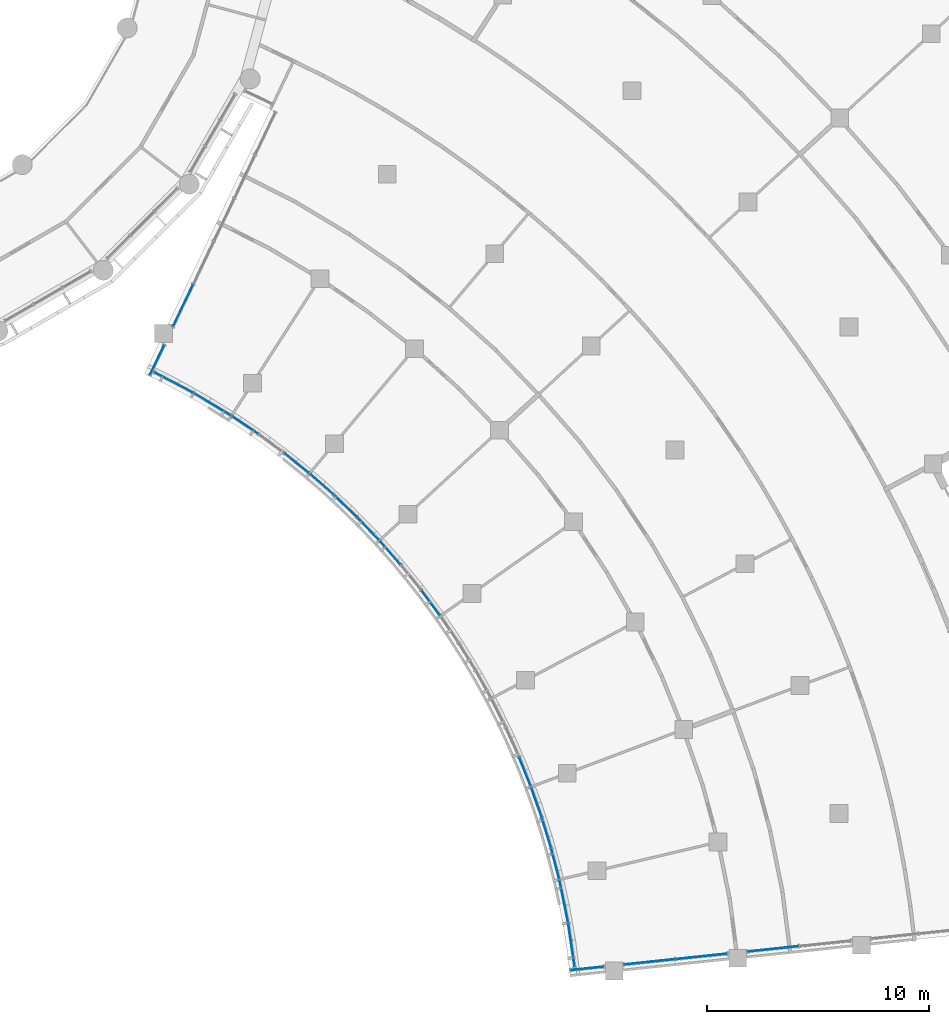
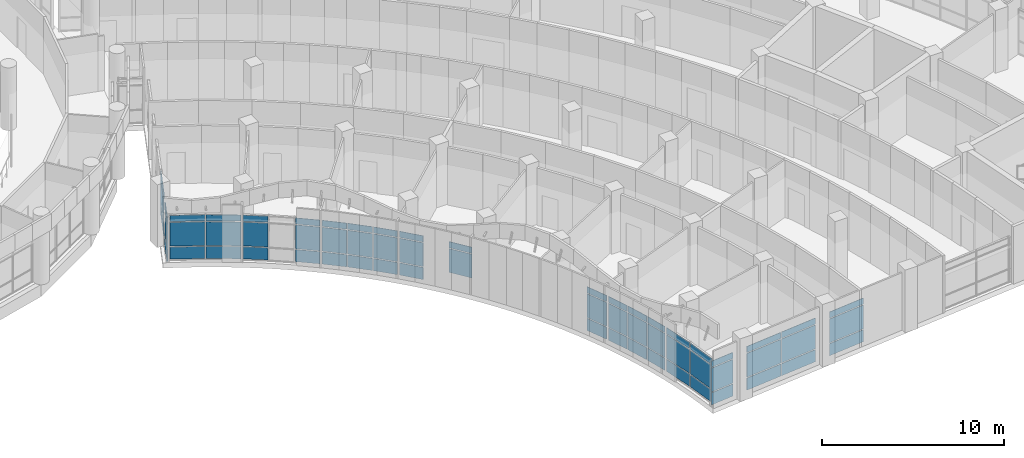
# One storey, part 33 of 109: 62 plates, 12 elements without a shape of their own.
"""IFC4 building model written with IfcOpenShell, lengths in metres."""

import ifcopenshell
import ifcopenshell.guid

model = None  # the IFC model being written
_history = None  # IfcOwnerHistory: only IFC2X3 demands one
_inside = {}  # id of a spatial element -> (the spatial element, [elements in it])
_under = {}  # id of a project, library or spatial element -> (it, [spatial elements below it])
_declared = {}  # id of a project -> (the project, [libraries it declares])
_typed = {}  # id of a type object -> (the type object, [elements of that type])
_made_of = {}  # id of a material, layer set ... -> (it, [elements and type objects made of it])


def new_model(schema):
    """Start an empty IFC model of exactly this schema.

    Asked for "IFC4X3", IfcOpenShell would pick the latest addendum, in which some entities
    have other attributes; the version numbers below select the first issue.
    IFC2X3 requires an IfcOwnerHistory on every rooted entity: one is made here for all.
    """
    global model, _history
    if schema == "IFC4X3":
        model = ifcopenshell.file(schema_version=(4, 3, 0, 0))
    else:
        model = ifcopenshell.file(schema=schema)
    _inside.clear()
    _under.clear()
    _declared.clear()
    _typed.clear()
    _made_of.clear()
    _history = None
    if model.schema == "IFC2X3":
        org = make("IfcOrganization", Name="unknown")
        user = make(
            "IfcPersonAndOrganization",
            ThePerson=make("IfcPerson", FamilyName="unknown"),
            TheOrganization=org,
        )
        app = make(
            "IfcApplication",
            ApplicationDeveloper=org,
            Version="unknown",
            ApplicationFullName="unknown",
            ApplicationIdentifier="unknown",
        )
        _history = make(
            "IfcOwnerHistory",
            OwningUser=user,
            OwningApplication=app,
            ChangeAction="ADDED",
            CreationDate=0,
        )
    return model


def make(cls, **values):
    """One entity of the class cls with the attributes given. An attribute that is None is left unset."""
    return model.create_entity(
        cls, **{name: value for name, value in values.items() if value is not None}
    )


def rooted(cls, **values):
    """An entity with a GlobalId (a new one), such as an element, a storey or a relation."""
    return make(cls, GlobalId=ifcopenshell.guid.new(), OwnerHistory=_history, **values)


def si_unit(unit_type, name, prefix=None):
    """IfcSIUnit, for example si_unit("LENGTHUNIT", "METRE", prefix="MILLI")."""
    return make("IfcSIUnit", UnitType=unit_type, Prefix=prefix, Name=name)


def assignment(units):
    """IfcUnitAssignment: the units of a project."""
    return None if units is None else make("IfcUnitAssignment", Units=units)


def point(xyz):
    """IfcCartesianPoint."""
    return None if xyz is None else make("IfcCartesianPoint", Coordinates=xyz)


def direction(xyz):
    """IfcDirection."""
    return None if xyz is None else make("IfcDirection", DirectionRatios=xyz)


def frame(location, z_axis=None, x_axis=None):
    """IfcAxis2Placement3D, a coordinate frame: its origin and axes. An axis left out is left unset."""
    return make(
        "IfcAxis2Placement3D",
        Location=point(location),
        Axis=direction(z_axis),
        RefDirection=direction(x_axis),
    )


def frame_2d(location, x_axis=None):
    """IfcAxis2Placement2D, a coordinate frame in the plane: its origin and x axis."""
    return make(
        "IfcAxis2Placement2D", Location=point(location), RefDirection=direction(x_axis)
    )


def origin():
    """The frame at (0, 0, 0) with its axes left unset."""
    return frame((0.0, 0.0, 0.0))


def origin_2d():
    """The frame at (0, 0) in the plane with its x axis left unset."""
    return frame_2d((0.0, 0.0))


def place(relative_to, where):
    """IfcLocalPlacement: puts the frame where relative to a parent placement (None: the world)."""
    return make(
        "IfcLocalPlacement", PlacementRelTo=relative_to, RelativePlacement=where
    )


def context(
    kind, dimensions, precision=None, world=None, true_north=None, identifier=None
):
    """IfcGeometricRepresentationContext, for example the 3D "Model" context."""
    return make(
        "IfcGeometricRepresentationContext",
        ContextIdentifier=identifier,
        ContextType=kind,
        CoordinateSpaceDimension=dimensions,
        Precision=precision,
        WorldCoordinateSystem=world,
        TrueNorth=true_north,
    )


def subcontext(parent, identifier, kind, view, scale=None):
    """IfcGeometricRepresentationSubContext, for example "Body" below "Model"."""
    return make(
        "IfcGeometricRepresentationSubContext",
        ContextIdentifier=identifier,
        ContextType=kind,
        ParentContext=parent,
        TargetScale=scale,
        TargetView=view,
    )


def project(units=None, contexts=None):
    """IfcProject with its units and contexts."""
    return rooted(
        "IfcProject",
        Name="project",
        RepresentationContexts=contexts,
        UnitsInContext=assignment(units),
    )


def spatial(cls, under=None, at=None, **own):
    """A site, building, storey or space (cls), placed at a placement, below another one or the project."""
    s = rooted(cls, ObjectPlacement=at, **own)
    if under is not None:
        _under.setdefault(under.id(), (under, []))[1].append(s)
    return s


def profile(cls, at=None, kind="AREA", **sizes):
    """A parametric profile (cls). Its sizes go by their IFC names, for example OverallWidth=200.0."""
    return make(cls, ProfileType=kind, Position=at, **sizes)


def rectangle(**sizes):
    """IfcRectangleProfileDef."""
    return profile("IfcRectangleProfileDef", **sizes)


def extrude(swept, where, along, depth):
    """IfcExtrudedAreaSolid: the profile swept, set in the frame where, extruded along a direction by depth."""
    return make(
        "IfcExtrudedAreaSolid",
        SweptArea=swept,
        Position=where,
        ExtrudedDirection=direction(along),
        Depth=depth,
    )


def shape(context_of_items, identifier, shape_type, items):
    """IfcShapeRepresentation: the items that make up one representation, for example the "Body"."""
    return make(
        "IfcShapeRepresentation",
        ContextOfItems=context_of_items,
        RepresentationIdentifier=identifier,
        RepresentationType=shape_type,
        Items=items,
    )


def material(Name=None, Category=None):
    """IfcMaterial."""
    return make("IfcMaterial", Name=Name, Category=Category)


def layer(
    of_material, thickness, ventilated=None, Name=None, Category=None, Priority=None
):
    """IfcMaterialLayer: one layer of a wall or slab, of a material (None: an air gap)."""
    return make(
        "IfcMaterialLayer",
        Material=of_material,
        LayerThickness=thickness,
        IsVentilated=ventilated,
        Name=Name,
        Category=Category,
        Priority=Priority,
    )


def layer_set(layers, Name=None):
    """IfcMaterialLayerSet."""
    return make("IfcMaterialLayerSet", MaterialLayers=layers, LayerSetName=Name)


def made_of(thing, what):
    """Note that an element or type object is made of a material, layer set ...; save() writes the relation."""
    if what is not None:
        _made_of.setdefault(what.id(), (what, []))[1].append(thing)
    return thing


def type_object(cls, material=None, **own):
    """A type object (cls), such as IfcWallType, which elements share."""
    return made_of(rooted(cls, **own), material)


def element(
    cls,
    number,
    at=None,
    inside=None,
    cuts=None,
    type_object=None,
    material=None,
    context=None,
    identifier="Body",
    shape_type=None,
    held_by="IfcProductDefinitionShape",
    body=None,
    shapes=None,
    **own,
):
    """One element of the class cls, such as IfcWall. Its Tag is "e" and its number.

    at: its placement. inside: the storey or other place that contains it. cuts: it is an
    opening in that element (IfcRelVoidsElement). A single representation is given by context,
    identifier, shape_type and body (its items); several are given by shapes. held_by: the class
    of the entity that holds the representations. save() writes the other relations.
    """
    e = rooted(cls, Tag="e%d" % number, ObjectPlacement=at, **own)
    if body is not None:
        shapes = [shape(context, identifier, shape_type, body)]
    if shapes is not None:
        e.Representation = make(held_by, Representations=shapes)
    if inside is not None:
        _inside.setdefault(inside.id(), (inside, []))[1].append(e)
    if cuts is not None:
        rooted(
            "IfcRelVoidsElement", RelatingBuildingElement=cuts, RelatedOpeningElement=e
        )
    if type_object is not None:
        _typed.setdefault(type_object.id(), (type_object, []))[1].append(e)
    return made_of(e, material)


def aggregate(whole, parts):
    """IfcRelAggregates: a whole, such as a stair, and the parts it consists of."""
    return rooted("IfcRelAggregates", RelatingObject=whole, RelatedObjects=parts)


def save(model, path):
    """Write the relations noted so far, then the file.

    IfcRelAggregates (storeys below a building ...), IfcRelContainedInSpatialStructure (elements
    in a storey), IfcRelDefinesByType, IfcRelAssociatesMaterial and IfcRelDeclares: one each for
    every whole, place, type object, material and project.
    """
    for whole, parts in _under.values():
        aggregate(whole, parts)
    for where, things in _inside.values():
        rooted(
            "IfcRelContainedInSpatialStructure",
            RelatedElements=things,
            RelatingStructure=where,
        )
    for kind, things in _typed.values():
        rooted("IfcRelDefinesByType", RelatedObjects=things, RelatingType=kind)
    for what, things in _made_of.values():
        rooted("IfcRelAssociatesMaterial", RelatedObjects=things, RelatingMaterial=what)
    for by, libraries in _declared.values():
        rooted("IfcRelDeclares", RelatingContext=by, RelatedDefinitions=libraries)
    model.write(path)


model = new_model("IFC4")

# Units and contexts
model_context = context("Model", 3, precision=1e-05, world=origin(), true_north=direction((0.0, 1.0)))
body_context = subcontext(model_context, "Body", "Model", "MODEL_VIEW")
ifc_project = project(units=[si_unit("LENGTHUNIT", "METRE"), si_unit("AREAUNIT", "SQUARE_METRE"), si_unit("VOLUMEUNIT", "CUBIC_METRE"), si_unit("PLANEANGLEUNIT", "RADIAN"), si_unit("MASSUNIT", "GRAM", prefix="KILO")], contexts=[model_context])

# Site, building, storey
site_placement = place(None, origin())
site = spatial("IfcSite", under=ifc_project, at=site_placement, CompositionType="ELEMENT")
building_placement = place(site_placement, origin())
building = spatial("IfcBuilding", under=site, at=building_placement, Name="Bougainvillea Quay General Hospital", CompositionType="ELEMENT")
storey_placement = place(building_placement, frame((0.0, 0.0, 12.60009765625)))
storey = spatial("IfcBuildingStorey", under=building, at=storey_placement, Name="L02", CompositionType="ELEMENT", Elevation=12.60009765625)

# Curtain wall, plates
ifc_material_1 = material(Name="Aluminium curtain wall system, powder-coated glazed", Category="aluminium")
curtain_wall_type_1 = type_object("IfcCurtainWallType", Name="Unitised curtain wall CW-2157", PredefinedType="NOTDEFINED", material=ifc_material_1)
curtain_wall_1_placement = place(storey_placement, origin())
curtain_wall_1 = element("IfcCurtainWall", 1, at=curtain_wall_1_placement, inside=storey, type_object=curtain_wall_type_1, Name="CW-AE 00", PredefinedType="NOTDEFINED")
ifc_material_2 = material(Name="Insulated aluminium spandrel panel, white", Category="aluminium")
ifc_layer_1 = layer(ifc_material_2, 0.028076171875)
ifc_layer_set_1 = layer_set([ifc_layer_1], Name="Insulated aluminium spandrel panel, white")
plate_type_1 = type_object("IfcPlateType", Name="Insulated spandrel panel white 28", PredefinedType="CURTAIN_PANEL", material=ifc_layer_set_1)
plate_1_placement = place(storey_placement, frame((125.574951171875, 55.7509765625, 0.059814453125), z_axis=(0.0, 0.0, 1.0), x_axis=(-0.430530445105, -0.902576055431, 0.0)))
plate_1 = element("IfcPlate", 2, at=plate_1_placement, type_object=plate_type_1, Name="CW-AE spandrel panel 5.1", PredefinedType="CURTAIN_PANEL", context=body_context, shape_type="SweptSolid", body=[
    extrude(rectangle(XDim=2.06591796875, YDim=0.028076171875, at=origin_2d()), origin(), (0.0, 0.0, 1.0), 0.81005859375),
])
plate_2_placement = place(storey_placement, frame((125.574951171875, 55.7509765625, 2.580078125), z_axis=(0.0, 0.0, 1.0), x_axis=(-0.430530445105, -0.902576055431, 0.0)))
plate_2 = element("IfcPlate", 3, at=plate_2_placement, type_object=plate_type_1, Name="CW-AE spandrel panel 5.3", PredefinedType="CURTAIN_PANEL", context=body_context, shape_type="SweptSolid", body=[
    extrude(rectangle(XDim=2.06591796875, YDim=0.028076171875, at=origin_2d()), origin(), (0.0, 0.0, 1.0), 0.409912109375),
])

curtain_wall_type_2 = type_object("IfcCurtainWallType", Name="Unitised curtain wall CW-1580", PredefinedType="NOTDEFINED", material=ifc_material_1)
curtain_wall_2_placement = place(storey_placement, origin())
curtain_wall_2 = element("IfcCurtainWall", 4, at=curtain_wall_2_placement, inside=storey, type_object=curtain_wall_type_2, Name="CW-AE 01", PredefinedType="NOTDEFINED")
plate_3_placement = place(storey_placement, frame((124.40283203125, 53.293212890625, 0.059814453125), z_axis=(0.0, 0.0, 1.0), x_axis=(-0.430530445105, -0.902576055431, 0.0)))
plate_3 = element("IfcPlate", 5, at=plate_3_placement, type_object=plate_type_1, Name="CW-AE spandrel panel 1.1", PredefinedType="CURTAIN_PANEL", context=body_context, shape_type="SweptSolid", body=[
    extrude(rectangle(XDim=1.459716796875, YDim=0.028076171875, at=origin_2d()), origin(), (0.0, 0.0, 1.0), 0.81005859375),
])
plate_4_placement = place(storey_placement, frame((124.40283203125, 53.293212890625, 2.580078125), z_axis=(0.0, 0.0, 1.0), x_axis=(-0.430530445105, -0.902576055431, 0.0)))
plate_4 = element("IfcPlate", 6, at=plate_4_placement, type_object=plate_type_1, Name="CW-AE spandrel panel 1.3", PredefinedType="CURTAIN_PANEL", context=body_context, shape_type="SweptSolid", body=[
    extrude(rectangle(XDim=1.459716796875, YDim=0.028076171875, at=origin_2d()), origin(), (0.0, 0.0, 1.0), 0.409912109375),
])

curtain_wall_type_3 = type_object("IfcCurtainWallType", Name="Unitised curtain wall CW-2100", PredefinedType="NOTDEFINED", material=ifc_material_1)
curtain_wall_3_placement = place(storey_placement, origin())
curtain_wall_3 = element("IfcCurtainWall", 7, at=curtain_wall_3_placement, inside=storey, type_object=curtain_wall_type_3, Name="CW-E01 a21b0", PredefinedType="NOTDEFINED")
plate_5_placement = place(storey_placement, frame((125.157470703125, 52.28857421875, 0.059814453125), z_axis=(0.0, 0.0, 1.0), x_axis=(0.884928841116, -0.46572625668, 0.0)))
plate_5 = element("IfcPlate", 8, at=plate_5_placement, type_object=plate_type_1, Name="CW-E01 spandrel panel 1.1", PredefinedType="CURTAIN_PANEL", context=body_context, shape_type="SweptSolid", body=[
    extrude(rectangle(XDim=1.924072265625, YDim=0.028076171875, at=origin_2d()), origin(), (0.0, 0.0, 1.0), 0.81005859375),
])
plate_6_placement = place(storey_placement, frame((125.157470703125, 52.28857421875, 2.580078125), z_axis=(0.0, 0.0, 1.0), x_axis=(0.884928841116, -0.46572625668, 0.0)))
plate_6 = element("IfcPlate", 9, at=plate_6_placement, type_object=plate_type_1, Name="CW-E01 spandrel panel 1.3", PredefinedType="CURTAIN_PANEL", context=body_context, shape_type="SweptSolid", body=[
    extrude(rectangle(XDim=1.924072265625, YDim=0.028076171875, at=origin_2d()), origin(), (0.0, 0.0, 1.0), 0.409912109375),
])
plate_7_placement = place(storey_placement, frame((126.884521484375, 51.313720703125, 0.059814453125), z_axis=(0.0, 0.0, 1.0), x_axis=(0.856022874409, -0.516937944525, 0.0)))
plate_7 = element("IfcPlate", 10, at=plate_7_placement, type_object=plate_type_1, Name="CW-E01 spandrel panel 2.1", PredefinedType="CURTAIN_PANEL", context=body_context, shape_type="SweptSolid", body=[
    extrude(rectangle(XDim=1.924072265625, YDim=0.028076171875, at=origin_2d()), origin(), (0.0, 0.0, 1.0), 0.81005859375),
])
plate_8_placement = place(storey_placement, frame((126.884521484375, 51.313720703125, 2.580078125), z_axis=(0.0, 0.0, 1.0), x_axis=(0.856022874409, -0.516937944525, 0.0)))
plate_8 = element("IfcPlate", 11, at=plate_8_placement, type_object=plate_type_1, Name="CW-E01 spandrel panel 2.3", PredefinedType="CURTAIN_PANEL", context=body_context, shape_type="SweptSolid", body=[
    extrude(rectangle(XDim=1.924072265625, YDim=0.028076171875, at=origin_2d()), origin(), (0.0, 0.0, 1.0), 0.409912109375),
])

curtain_wall_4_placement = place(storey_placement, origin())
curtain_wall_4 = element("IfcCurtainWall", 12, at=curtain_wall_4_placement, inside=storey, type_object=curtain_wall_type_3, Name="CW-E02 a21b1", PredefinedType="NOTDEFINED")
plate_9_placement = place(storey_placement, frame((128.37548828125, 50.369384765625, 0.059814453125), z_axis=(0.0, 0.0, 1.0), x_axis=(0.828738154592, -0.559636552705, 0.0)))
plate_9 = element("IfcPlate", 13, at=plate_9_placement, type_object=plate_type_1, Name="CW-E02 spandrel panel 1.1", PredefinedType="CURTAIN_PANEL", context=body_context, shape_type="SweptSolid", body=[
    extrude(rectangle(XDim=1.366943359375, YDim=0.028076171875, at=origin_2d()), origin(), (0.0, 0.0, 1.0), 0.81005859375),
])
plate_10_placement = place(storey_placement, frame((128.37548828125, 50.369384765625, 2.580078125), z_axis=(0.0, 0.0, 1.0), x_axis=(0.828738154592, -0.559636552705, 0.0)))
plate_10 = element("IfcPlate", 14, at=plate_10_placement, type_object=plate_type_1, Name="CW-E02 spandrel panel 1.3", PredefinedType="CURTAIN_PANEL", context=body_context, shape_type="SweptSolid", body=[
    extrude(rectangle(XDim=1.366943359375, YDim=0.028076171875, at=origin_2d()), origin(), (0.0, 0.0, 1.0), 0.409912109375),
])
plate_11_placement = place(storey_placement, frame((130.693603515625, 48.65625, 0.059814453125), z_axis=(0.0, 0.0, 1.0), x_axis=(0.778184691702, -0.628035497086, 0.0)))
plate_11 = element("IfcPlate", 15, at=plate_11_placement, type_object=plate_type_1, Name="CW-E02 spandrel panel 3.1", PredefinedType="CURTAIN_PANEL", context=body_context, shape_type="SweptSolid", body=[
    extrude(rectangle(XDim=1.366943359375, YDim=0.028076171875, at=origin_2d()), origin(), (0.0, 0.0, 1.0), 0.81005859375),
])
plate_12_placement = place(storey_placement, frame((130.693603515625, 48.65625, 2.580078125), z_axis=(0.0, 0.0, 1.0), x_axis=(0.778184691702, -0.628035497086, 0.0)))
plate_12 = element("IfcPlate", 16, at=plate_12_placement, type_object=plate_type_1, Name="CW-E02 spandrel panel 3.3", PredefinedType="CURTAIN_PANEL", context=body_context, shape_type="SweptSolid", body=[
    extrude(rectangle(XDim=1.366943359375, YDim=0.028076171875, at=origin_2d()), origin(), (0.0, 0.0, 1.0), 0.409912109375),
])

curtain_wall_5_placement = place(storey_placement, origin())
curtain_wall_5 = element("IfcCurtainWall", 17, at=curtain_wall_5_placement, inside=storey, type_object=curtain_wall_type_3, Name="CW-E03 a21b2", PredefinedType="NOTDEFINED")
plate_13_placement = place(storey_placement, frame((131.830322265625, 47.6982421875, 0.059814453125), z_axis=(0.0, 0.0, 1.0), x_axis=(0.750772439283, -0.660560931643, 0.0)))
plate_13 = element("IfcPlate", 18, at=plate_13_placement, type_object=plate_type_1, Name="CW-E03 spandrel panel 1.1", PredefinedType="CURTAIN_PANEL", context=body_context, shape_type="SweptSolid", body=[
    extrude(rectangle(XDim=1.366943359375, YDim=0.028076171875, at=origin_2d()), origin(), (0.0, 0.0, 1.0), 0.81005859375),
])
plate_14_placement = place(storey_placement, frame((131.830322265625, 47.6982421875, 2.580078125), z_axis=(0.0, 0.0, 1.0), x_axis=(0.750772439283, -0.660560931643, 0.0)))
plate_14 = element("IfcPlate", 19, at=plate_14_placement, type_object=plate_type_1, Name="CW-E03 spandrel panel 1.3", PredefinedType="CURTAIN_PANEL", context=body_context, shape_type="SweptSolid", body=[
    extrude(rectangle(XDim=1.366943359375, YDim=0.028076171875, at=origin_2d()), origin(), (0.0, 0.0, 1.0), 0.409912109375),
])
plate_15_placement = place(storey_placement, frame((132.891845703125, 46.722900390625, 0.059814453125), z_axis=(0.0, 0.0, 1.0), x_axis=(0.722001787667, -0.69189118986, 0.0)))
plate_15 = element("IfcPlate", 20, at=plate_15_placement, type_object=plate_type_1, Name="CW-E03 spandrel panel 2.1", PredefinedType="CURTAIN_PANEL", context=body_context, shape_type="SweptSolid", body=[
    extrude(rectangle(XDim=1.39697265625, YDim=0.028076171875, at=origin_2d()), origin(), (0.0, 0.0, 1.0), 0.81005859375),
])
plate_16_placement = place(storey_placement, frame((132.891845703125, 46.722900390625, 2.580078125), z_axis=(0.0, 0.0, 1.0), x_axis=(0.722001787667, -0.69189118986, 0.0)))
plate_16 = element("IfcPlate", 21, at=plate_16_placement, type_object=plate_type_1, Name="CW-E03 spandrel panel 2.3", PredefinedType="CURTAIN_PANEL", context=body_context, shape_type="SweptSolid", body=[
    extrude(rectangle(XDim=1.39697265625, YDim=0.028076171875, at=origin_2d()), origin(), (0.0, 0.0, 1.0), 0.409912109375),
])
plate_17_placement = place(storey_placement, frame((133.911376953125, 45.703857421875, 0.059814453125), z_axis=(0.0, 0.0, 1.0), x_axis=(0.691924792604, -0.721969584803, 0.0)))
plate_17 = element("IfcPlate", 22, at=plate_17_placement, type_object=plate_type_1, Name="CW-E03 spandrel panel 3.1", PredefinedType="CURTAIN_PANEL", context=body_context, shape_type="SweptSolid", body=[
    extrude(rectangle(XDim=1.366943359375, YDim=0.028076171875, at=origin_2d()), origin(), (0.0, 0.0, 1.0), 0.81005859375),
])
plate_18_placement = place(storey_placement, frame((133.911376953125, 45.703857421875, 2.580078125), z_axis=(0.0, 0.0, 1.0), x_axis=(0.691924792604, -0.721969584803, 0.0)))
plate_18 = element("IfcPlate", 23, at=plate_18_placement, type_object=plate_type_1, Name="CW-E03 spandrel panel 3.3", PredefinedType="CURTAIN_PANEL", context=body_context, shape_type="SweptSolid", body=[
    extrude(rectangle(XDim=1.366943359375, YDim=0.028076171875, at=origin_2d()), origin(), (0.0, 0.0, 1.0), 0.409912109375),
])

curtain_wall_6_placement = place(storey_placement, origin())
curtain_wall_6 = element("IfcCurtainWall", 24, at=curtain_wall_6_placement, inside=storey, type_object=curtain_wall_type_3, Name="CW-E04 a21b3", PredefinedType="NOTDEFINED")
plate_19_placement = place(storey_placement, frame((134.9169921875, 44.60888671875, 0.059814453125), z_axis=(0.0, 0.0, 1.0), x_axis=(0.660595873455, -0.750741694576, 0.0)))
plate_19 = element("IfcPlate", 25, at=plate_19_placement, type_object=plate_type_1, Name="CW-E04 spandrel panel 1.1", PredefinedType="CURTAIN_PANEL", context=body_context, shape_type="SweptSolid", body=[
    extrude(rectangle(XDim=1.366943359375, YDim=0.028076171875, at=origin_2d()), origin(), (0.0, 0.0, 1.0), 0.81005859375),
])
plate_20_placement = place(storey_placement, frame((134.9169921875, 44.60888671875, 2.580078125), z_axis=(0.0, 0.0, 1.0), x_axis=(0.660595873455, -0.750741694576, 0.0)))
plate_20 = element("IfcPlate", 26, at=plate_20_placement, type_object=plate_type_1, Name="CW-E04 spandrel panel 1.3", PredefinedType="CURTAIN_PANEL", context=body_context, shape_type="SweptSolid", body=[
    extrude(rectangle(XDim=1.366943359375, YDim=0.028076171875, at=origin_2d()), origin(), (0.0, 0.0, 1.0), 0.409912109375),
])
plate_21_placement = place(storey_placement, frame((136.727294921875, 42.365966796875, 2.580078125), z_axis=(0.0, 0.0, 1.0), x_axis=(0.594411163652, -0.804161282658, 0.0)))
plate_21 = element("IfcPlate", 27, at=plate_21_placement, type_object=plate_type_1, Name="CW-E04 spandrel panel 3.3", PredefinedType="CURTAIN_PANEL", context=body_context, shape_type="SweptSolid", body=[
    extrude(rectangle(XDim=1.366943359375, YDim=0.028076171875, at=origin_2d()), origin(), (0.0, 0.0, 1.0), 0.409912109375),
])

curtain_wall_7_placement = place(storey_placement, origin())
curtain_wall_7 = element("IfcCurtainWall", 28, at=curtain_wall_7_placement, inside=storey, type_object=curtain_wall_type_3, Name="CW-E06 a21b5", PredefinedType="NOTDEFINED")
plate_22_placement = place(storey_placement, frame((140.9775390625, 34.75634765625, 0.059814453125), z_axis=(0.0, 0.0, 1.0), x_axis=(0.372123951912, -0.92818304467, 0.0)))
plate_22 = element("IfcPlate", 29, at=plate_22_placement, type_object=plate_type_1, Name="CW-E06 spandrel panel 3.1", PredefinedType="CURTAIN_PANEL", context=body_context, shape_type="SweptSolid", body=[
    extrude(rectangle(XDim=1.366943359375, YDim=0.028076171875, at=origin_2d()), origin(), (0.0, 0.0, 1.0), 0.81005859375),
])
plate_23_placement = place(storey_placement, frame((140.9775390625, 34.75634765625, 2.580078125), z_axis=(0.0, 0.0, 1.0), x_axis=(0.372123951912, -0.92818304467, 0.0)))
plate_23 = element("IfcPlate", 30, at=plate_23_placement, type_object=plate_type_1, Name="CW-E06 spandrel panel 3.3", PredefinedType="CURTAIN_PANEL", context=body_context, shape_type="SweptSolid", body=[
    extrude(rectangle(XDim=1.366943359375, YDim=0.028076171875, at=origin_2d()), origin(), (0.0, 0.0, 1.0), 0.409912109375),
])

curtain_wall_8_placement = place(storey_placement, origin())
curtain_wall_8 = element("IfcCurtainWall", 31, at=curtain_wall_8_placement, inside=storey, type_object=curtain_wall_type_3, Name="CW-E07 a21b6", PredefinedType="NOTDEFINED")
plate_24_placement = place(storey_placement, frame((141.501220703125, 33.364990234375, 0.059814453125), z_axis=(0.0, 0.0, 1.0), x_axis=(0.332314775986, -0.943168537252, 0.0)))
plate_24 = element("IfcPlate", 32, at=plate_24_placement, type_object=plate_type_1, Name="CW-E07 spandrel panel 1.1", PredefinedType="CURTAIN_PANEL", context=body_context, shape_type="SweptSolid", body=[
    extrude(rectangle(XDim=1.366943359375, YDim=0.028076171875, at=origin_2d()), origin(), (0.0, 0.0, 1.0), 0.81005859375),
])
plate_25_placement = place(storey_placement, frame((141.501220703125, 33.364990234375, 2.580078125), z_axis=(0.0, 0.0, 1.0), x_axis=(0.332314775986, -0.943168537252, 0.0)))
plate_25 = element("IfcPlate", 33, at=plate_25_placement, type_object=plate_type_1, Name="CW-E07 spandrel panel 1.3", PredefinedType="CURTAIN_PANEL", context=body_context, shape_type="SweptSolid", body=[
    extrude(rectangle(XDim=1.366943359375, YDim=0.028076171875, at=origin_2d()), origin(), (0.0, 0.0, 1.0), 0.409912109375),
])
plate_26_placement = place(storey_placement, frame((141.950927734375, 31.995361328125, 0.059814453125), z_axis=(0.0, 0.0, 1.0), x_axis=(0.291904331163, -0.956447521534, 0.0)))
plate_26 = element("IfcPlate", 34, at=plate_26_placement, type_object=plate_type_1, Name="CW-E07 spandrel panel 2.1", PredefinedType="CURTAIN_PANEL", context=body_context, shape_type="SweptSolid", body=[
    extrude(rectangle(XDim=1.39697265625, YDim=0.028076171875, at=origin_2d()), origin(), (0.0, 0.0, 1.0), 0.81005859375),
])
plate_27_placement = place(storey_placement, frame((141.950927734375, 31.995361328125, 2.580078125), z_axis=(0.0, 0.0, 1.0), x_axis=(0.291904331163, -0.956447521534, 0.0)))
plate_27 = element("IfcPlate", 35, at=plate_27_placement, type_object=plate_type_1, Name="CW-E07 spandrel panel 2.3", PredefinedType="CURTAIN_PANEL", context=body_context, shape_type="SweptSolid", body=[
    extrude(rectangle(XDim=1.39697265625, YDim=0.028076171875, at=origin_2d()), origin(), (0.0, 0.0, 1.0), 0.409912109375),
])
plate_28_placement = place(storey_placement, frame((142.342529296875, 30.608154296875, 0.059814453125), z_axis=(0.0, 0.0, 1.0), x_axis=(0.250965733479, -0.967995971386, 0.0)))
plate_28 = element("IfcPlate", 36, at=plate_28_placement, type_object=plate_type_1, Name="CW-E07 spandrel panel 3.1", PredefinedType="CURTAIN_PANEL", context=body_context, shape_type="SweptSolid", body=[
    extrude(rectangle(XDim=1.366943359375, YDim=0.028076171875, at=origin_2d()), origin(), (0.0, 0.0, 1.0), 0.81005859375),
])
plate_29_placement = place(storey_placement, frame((142.342529296875, 30.608154296875, 2.580078125), z_axis=(0.0, 0.0, 1.0), x_axis=(0.250965733479, -0.967995971386, 0.0)))
plate_29 = element("IfcPlate", 37, at=plate_29_placement, type_object=plate_type_1, Name="CW-E07 spandrel panel 3.3", PredefinedType="CURTAIN_PANEL", context=body_context, shape_type="SweptSolid", body=[
    extrude(rectangle(XDim=1.366943359375, YDim=0.028076171875, at=origin_2d()), origin(), (0.0, 0.0, 1.0), 0.409912109375),
])

curtain_wall_9_placement = place(storey_placement, origin())
curtain_wall_9 = element("IfcCurtainWall", 38, at=curtain_wall_9_placement, inside=storey, type_object=curtain_wall_type_3, Name="CW-E08 a21b7", PredefinedType="NOTDEFINED")
plate_30_placement = place(storey_placement, frame((142.7353515625, 28.886962890625, 0.059814453125), z_axis=(0.0, 0.0, 1.0), x_axis=(0.201594935096, -0.979468979674, 0.0)))
plate_30 = element("IfcPlate", 39, at=plate_30_placement, type_object=plate_type_1, Name="CW-E08 spandrel panel 1.1", PredefinedType="CURTAIN_PANEL", context=body_context, shape_type="SweptSolid", body=[
    extrude(rectangle(XDim=1.925048828125, YDim=0.028076171875, at=origin_2d()), origin(), (0.0, 0.0, 1.0), 0.81005859375),
])
plate_31_placement = place(storey_placement, frame((142.7353515625, 28.886962890625, 2.580078125), z_axis=(0.0, 0.0, 1.0), x_axis=(0.201594935096, -0.979468979674, 0.0)))
plate_31 = element("IfcPlate", 40, at=plate_31_placement, type_object=plate_type_1, Name="CW-E08 spandrel panel 1.3", PredefinedType="CURTAIN_PANEL", context=body_context, shape_type="SweptSolid", body=[
    extrude(rectangle(XDim=1.925048828125, YDim=0.028076171875, at=origin_2d()), origin(), (0.0, 0.0, 1.0), 0.409912109375),
])
plate_32_placement = place(storey_placement, frame((143.077880859375, 26.932373046875, 0.059814453125), z_axis=(0.0, 0.0, 1.0), x_axis=(0.143643342173, -0.989629521715, 0.0)))
plate_32 = element("IfcPlate", 41, at=plate_32_placement, type_object=plate_type_1, Name="CW-E08 spandrel panel 2.1", PredefinedType="CURTAIN_PANEL", context=body_context, shape_type="SweptSolid", body=[
    extrude(rectangle(XDim=1.925048828125, YDim=0.028076171875, at=origin_2d()), origin(), (0.0, 0.0, 1.0), 0.81005859375),
])
plate_33_placement = place(storey_placement, frame((143.077880859375, 26.932373046875, 2.580078125), z_axis=(0.0, 0.0, 1.0), x_axis=(0.143643342173, -0.989629521715, 0.0)))
plate_33 = element("IfcPlate", 42, at=plate_33_placement, type_object=plate_type_1, Name="CW-E08 spandrel panel 2.3", PredefinedType="CURTAIN_PANEL", context=body_context, shape_type="SweptSolid", body=[
    extrude(rectangle(XDim=1.925048828125, YDim=0.028076171875, at=origin_2d()), origin(), (0.0, 0.0, 1.0), 0.409912109375),
])

curtain_wall_type_4 = type_object("IfcCurtainWallType", Name="Unitised curtain wall CW-1581", PredefinedType="NOTDEFINED", material=ifc_material_1)
curtain_wall_10_placement = place(storey_placement, origin())
curtain_wall_10 = element("IfcCurtainWall", 43, at=curtain_wall_10_placement, inside=storey, type_object=curtain_wall_type_4, Name="CW-AE 00", PredefinedType="NOTDEFINED")
plate_34_placement = place(storey_placement, frame((143.773681640625, 25.88525390625, 0.059814453125), z_axis=(0.0, 0.0, 1.0), x_axis=(0.9945220309, 0.104527173765, 0.0)))
plate_34 = element("IfcPlate", 44, at=plate_34_placement, type_object=plate_type_1, Name="CW-AE spandrel panel 1.1", PredefinedType="CURTAIN_PANEL", context=body_context, shape_type="SweptSolid", body=[
    extrude(rectangle(XDim=1.460205078125, YDim=0.028076171875, at=origin_2d()), origin(), (0.0, 0.0, 1.0), 0.81005859375),
])
plate_35_placement = place(storey_placement, frame((143.773681640625, 25.88525390625, 2.580078125), z_axis=(0.0, 0.0, 1.0), x_axis=(0.9945220309, 0.104527173765, 0.0)))
plate_35 = element("IfcPlate", 45, at=plate_35_placement, type_object=plate_type_1, Name="CW-AE spandrel panel 1.3", PredefinedType="CURTAIN_PANEL", context=body_context, shape_type="SweptSolid", body=[
    extrude(rectangle(XDim=1.460205078125, YDim=0.028076171875, at=origin_2d()), origin(), (0.0, 0.0, 1.0), 0.409912109375),
])

curtain_wall_type_5 = type_object("IfcCurtainWallType", Name="Unitised curtain wall CW-2380", PredefinedType="NOTDEFINED", material=ifc_material_1)
curtain_wall_11_placement = place(storey_placement, origin())
curtain_wall_11 = element("IfcCurtainWall", 46, at=curtain_wall_11_placement, inside=storey, type_object=curtain_wall_type_5, Name="CW-AE 01", PredefinedType="NOTDEFINED")
plate_36_placement = place(storey_placement, frame((146.59326171875, 26.181640625, 0.059814453125), z_axis=(0.0, 0.0, 1.0), x_axis=(0.9945220309, 0.104527173765, 0.0)))
plate_36 = element("IfcPlate", 47, at=plate_36_placement, type_object=plate_type_1, Name="CW-AE spandrel panel 1.1", PredefinedType="CURTAIN_PANEL", context=body_context, shape_type="SweptSolid", body=[
    extrude(rectangle(XDim=2.289794921875, YDim=0.028076171875, at=origin_2d()), origin(), (0.0, 0.0, 1.0), 0.81005859375),
])
plate_37_placement = place(storey_placement, frame((146.59326171875, 26.181640625, 2.580078125), z_axis=(0.0, 0.0, 1.0), x_axis=(0.9945220309, 0.104527173765, 0.0)))
plate_37 = element("IfcPlate", 48, at=plate_37_placement, type_object=plate_type_1, Name="CW-AE spandrel panel 1.3", PredefinedType="CURTAIN_PANEL", context=body_context, shape_type="SweptSolid", body=[
    extrude(rectangle(XDim=2.289794921875, YDim=0.028076171875, at=origin_2d()), origin(), (0.0, 0.0, 1.0), 0.409912109375),
])
plate_38_placement = place(storey_placement, frame((148.93017578125, 26.42724609375, 0.059814453125), z_axis=(0.0, 0.0, 1.0), x_axis=(0.9945220309, 0.104527173765, 0.0)))
plate_38 = element("IfcPlate", 49, at=plate_38_placement, type_object=plate_type_1, Name="CW-AE spandrel panel 2.1", PredefinedType="CURTAIN_PANEL", context=body_context, shape_type="SweptSolid", body=[
    extrude(rectangle(XDim=2.289794921875, YDim=0.028076171875, at=origin_2d()), origin(), (0.0, 0.0, 1.0), 0.81005859375),
])
plate_39_placement = place(storey_placement, frame((148.93017578125, 26.42724609375, 2.580078125), z_axis=(0.0, 0.0, 1.0), x_axis=(0.9945220309, 0.104527173765, 0.0)))
plate_39 = element("IfcPlate", 50, at=plate_39_placement, type_object=plate_type_1, Name="CW-AE spandrel panel 2.3", PredefinedType="CURTAIN_PANEL", context=body_context, shape_type="SweptSolid", body=[
    extrude(rectangle(XDim=2.289794921875, YDim=0.028076171875, at=origin_2d()), origin(), (0.0, 0.0, 1.0), 0.409912109375),
])

curtain_wall_12_placement = place(storey_placement, origin())
curtain_wall_12 = element("IfcCurtainWall", 51, at=curtain_wall_12_placement, inside=storey, type_object=curtain_wall_type_5, Name="CW-AE 02", PredefinedType="NOTDEFINED")
plate_40_placement = place(storey_placement, frame((152.162109375, 26.766845703125, 0.059814453125), z_axis=(0.0, 0.0, 1.0), x_axis=(0.9945220309, 0.104527173765, 0.0)))
plate_40 = element("IfcPlate", 52, at=plate_40_placement, type_object=plate_type_1, Name="CW-AE spandrel panel 1.1", PredefinedType="CURTAIN_PANEL", context=body_context, shape_type="SweptSolid", body=[
    extrude(rectangle(XDim=2.289794921875, YDim=0.028076171875, at=origin_2d()), origin(), (0.0, 0.0, 1.0), 0.81005859375),
])
plate_41_placement = place(storey_placement, frame((152.162109375, 26.766845703125, 2.580078125), z_axis=(0.0, 0.0, 1.0), x_axis=(0.9945220309, 0.104527173765, 0.0)))
plate_41 = element("IfcPlate", 53, at=plate_41_placement, type_object=plate_type_1, Name="CW-AE spandrel panel 1.3", PredefinedType="CURTAIN_PANEL", context=body_context, shape_type="SweptSolid", body=[
    extrude(rectangle(XDim=2.289794921875, YDim=0.028076171875, at=origin_2d()), origin(), (0.0, 0.0, 1.0), 0.409912109375),
])

# Plate
ifc_material_3 = material(Name="Low-e laminated glass, solar control", Category="glass")
ifc_layer_2 = layer(ifc_material_3, 0.028076171875)
ifc_layer_set_2 = layer_set([ifc_layer_2], Name="Low-e laminated glass, solar control")
plate_type_2 = type_object("IfcPlateType", Name="Low-e laminated vision glass 28", PredefinedType="CURTAIN_PANEL", material=ifc_layer_set_2)
plate_42_placement = place(storey_placement, frame((125.574951171875, 55.7509765625, 0.9296875), z_axis=(0.0, 0.0, 1.0), x_axis=(-0.430530445105, -0.902576055431, 0.0)))
plate_42 = element("IfcPlate", 54, at=plate_42_placement, type_object=plate_type_2, Name="CW-AE vision glass panel 5.2", PredefinedType="CURTAIN_PANEL", context=body_context, shape_type="SweptSolid", body=[
    extrude(rectangle(XDim=2.06591796875, YDim=0.028076171875, at=origin_2d()), origin(), (0.0, 0.0, 1.0), 1.590087890625),
])

aggregate(curtain_wall_1, [plate_1, plate_42, plate_2])

plate_43_placement = place(storey_placement, frame((124.40283203125, 53.293212890625, 0.9296875), z_axis=(0.0, 0.0, 1.0), x_axis=(-0.430530445105, -0.902576055431, 0.0)))
plate_43 = element("IfcPlate", 55, at=plate_43_placement, type_object=plate_type_2, Name="CW-AE vision glass panel 1.2", PredefinedType="CURTAIN_PANEL", context=body_context, shape_type="SweptSolid", body=[
    extrude(rectangle(XDim=1.459716796875, YDim=0.028076171875, at=origin_2d()), origin(), (0.0, 0.0, 1.0), 1.590087890625),
])

aggregate(curtain_wall_2, [plate_3, plate_43, plate_4])

plate_44_placement = place(storey_placement, frame((125.157470703125, 52.28857421875, 0.9296875), z_axis=(0.0, 0.0, 1.0), x_axis=(0.884928841116, -0.46572625668, 0.0)))
plate_44 = element("IfcPlate", 56, at=plate_44_placement, type_object=plate_type_2, Name="CW-E01 vision glass panel 1.2", PredefinedType="CURTAIN_PANEL", context=body_context, shape_type="SweptSolid", body=[
    extrude(rectangle(XDim=1.924072265625, YDim=0.028076171875, at=origin_2d()), origin(), (0.0, 0.0, 1.0), 1.590087890625),
])

plate_45_placement = place(storey_placement, frame((126.884521484375, 51.313720703125, 0.9296875), z_axis=(0.0, 0.0, 1.0), x_axis=(0.856022874409, -0.516937944525, 0.0)))
plate_45 = element("IfcPlate", 57, at=plate_45_placement, type_object=plate_type_2, Name="CW-E01 vision glass panel 2.2", PredefinedType="CURTAIN_PANEL", context=body_context, shape_type="SweptSolid", body=[
    extrude(rectangle(XDim=1.924072265625, YDim=0.028076171875, at=origin_2d()), origin(), (0.0, 0.0, 1.0), 1.590087890625),
])

aggregate(curtain_wall_3, [plate_5, plate_44, plate_6, plate_7, plate_45, plate_8])

plate_46_placement = place(storey_placement, frame((128.37548828125, 50.369384765625, 0.9296875), z_axis=(0.0, 0.0, 1.0), x_axis=(0.828738154592, -0.559636552705, 0.0)))
plate_46 = element("IfcPlate", 58, at=plate_46_placement, type_object=plate_type_2, Name="CW-E02 vision glass panel 1.2", PredefinedType="CURTAIN_PANEL", context=body_context, shape_type="SweptSolid", body=[
    extrude(rectangle(XDim=1.366943359375, YDim=0.028076171875, at=origin_2d()), origin(), (0.0, 0.0, 1.0), 1.590087890625),
])

plate_47_placement = place(storey_placement, frame((130.693603515625, 48.65625, 0.9296875), z_axis=(0.0, 0.0, 1.0), x_axis=(0.778184691702, -0.628035497086, 0.0)))
plate_47 = element("IfcPlate", 59, at=plate_47_placement, type_object=plate_type_2, Name="CW-E02 vision glass panel 3.2", PredefinedType="CURTAIN_PANEL", context=body_context, shape_type="SweptSolid", body=[
    extrude(rectangle(XDim=1.366943359375, YDim=0.028076171875, at=origin_2d()), origin(), (0.0, 0.0, 1.0), 1.590087890625),
])

aggregate(curtain_wall_4, [plate_9, plate_46, plate_10, plate_11, plate_47, plate_12])

plate_48_placement = place(storey_placement, frame((131.830322265625, 47.6982421875, 0.9296875), z_axis=(0.0, 0.0, 1.0), x_axis=(0.750772439283, -0.660560931643, 0.0)))
plate_48 = element("IfcPlate", 60, at=plate_48_placement, type_object=plate_type_2, Name="CW-E03 vision glass panel 1.2", PredefinedType="CURTAIN_PANEL", context=body_context, shape_type="SweptSolid", body=[
    extrude(rectangle(XDim=1.366943359375, YDim=0.028076171875, at=origin_2d()), origin(), (0.0, 0.0, 1.0), 1.590087890625),
])

plate_49_placement = place(storey_placement, frame((132.891845703125, 46.722900390625, 0.9296875), z_axis=(0.0, 0.0, 1.0), x_axis=(0.722001787667, -0.69189118986, 0.0)))
plate_49 = element("IfcPlate", 61, at=plate_49_placement, type_object=plate_type_2, Name="CW-E03 vision glass panel 2.2", PredefinedType="CURTAIN_PANEL", context=body_context, shape_type="SweptSolid", body=[
    extrude(rectangle(XDim=1.39697265625, YDim=0.028076171875, at=origin_2d()), origin(), (0.0, 0.0, 1.0), 1.590087890625),
])

plate_50_placement = place(storey_placement, frame((133.911376953125, 45.703857421875, 0.9296875), z_axis=(0.0, 0.0, 1.0), x_axis=(0.691924792604, -0.721969584803, 0.0)))
plate_50 = element("IfcPlate", 62, at=plate_50_placement, type_object=plate_type_2, Name="CW-E03 vision glass panel 3.2", PredefinedType="CURTAIN_PANEL", context=body_context, shape_type="SweptSolid", body=[
    extrude(rectangle(XDim=1.366943359375, YDim=0.028076171875, at=origin_2d()), origin(), (0.0, 0.0, 1.0), 1.590087890625),
])

aggregate(curtain_wall_5, [plate_13, plate_48, plate_14, plate_15, plate_49, plate_16, plate_17, plate_50, plate_18])

plate_51_placement = place(storey_placement, frame((134.9169921875, 44.60888671875, 0.9296875), z_axis=(0.0, 0.0, 1.0), x_axis=(0.660595873455, -0.750741694576, 0.0)))
plate_51 = element("IfcPlate", 63, at=plate_51_placement, type_object=plate_type_2, Name="CW-E04 vision glass panel 1.2", PredefinedType="CURTAIN_PANEL", context=body_context, shape_type="SweptSolid", body=[
    extrude(rectangle(XDim=1.366943359375, YDim=0.028076171875, at=origin_2d()), origin(), (0.0, 0.0, 1.0), 1.590087890625),
])

plate_52_placement = place(storey_placement, frame((136.727294921875, 42.365966796875, 0.9296875), z_axis=(0.0, 0.0, 1.0), x_axis=(0.594411163652, -0.804161282658, 0.0)))
plate_52 = element("IfcPlate", 64, at=plate_52_placement, type_object=plate_type_2, Name="CW-E04 vision glass panel 3.2", PredefinedType="CURTAIN_PANEL", context=body_context, shape_type="SweptSolid", body=[
    extrude(rectangle(XDim=1.366943359375, YDim=0.028076171875, at=origin_2d()), origin(), (0.0, 0.0, 1.0), 1.590087890625),
])

aggregate(curtain_wall_6, [plate_19, plate_51, plate_20, plate_52, plate_21])

plate_53_placement = place(storey_placement, frame((140.9775390625, 34.75634765625, 0.9296875), z_axis=(0.0, 0.0, 1.0), x_axis=(0.372123951912, -0.92818304467, 0.0)))
plate_53 = element("IfcPlate", 65, at=plate_53_placement, type_object=plate_type_2, Name="CW-E06 vision glass panel 3.2", PredefinedType="CURTAIN_PANEL", context=body_context, shape_type="SweptSolid", body=[
    extrude(rectangle(XDim=1.366943359375, YDim=0.028076171875, at=origin_2d()), origin(), (0.0, 0.0, 1.0), 1.590087890625),
])

aggregate(curtain_wall_7, [plate_22, plate_53, plate_23])

plate_54_placement = place(storey_placement, frame((141.501220703125, 33.364990234375, 0.9296875), z_axis=(0.0, 0.0, 1.0), x_axis=(0.332314775986, -0.943168537252, 0.0)))
plate_54 = element("IfcPlate", 66, at=plate_54_placement, type_object=plate_type_2, Name="CW-E07 vision glass panel 1.2", PredefinedType="CURTAIN_PANEL", context=body_context, shape_type="SweptSolid", body=[
    extrude(rectangle(XDim=1.366943359375, YDim=0.028076171875, at=origin_2d()), origin(), (0.0, 0.0, 1.0), 1.590087890625),
])

plate_55_placement = place(storey_placement, frame((141.950927734375, 31.995361328125, 0.9296875), z_axis=(0.0, 0.0, 1.0), x_axis=(0.291904331163, -0.956447521534, 0.0)))
plate_55 = element("IfcPlate", 67, at=plate_55_placement, type_object=plate_type_2, Name="CW-E07 vision glass panel 2.2", PredefinedType="CURTAIN_PANEL", context=body_context, shape_type="SweptSolid", body=[
    extrude(rectangle(XDim=1.39697265625, YDim=0.028076171875, at=origin_2d()), origin(), (0.0, 0.0, 1.0), 1.590087890625),
])

plate_56_placement = place(storey_placement, frame((142.342529296875, 30.608154296875, 0.9296875), z_axis=(0.0, 0.0, 1.0), x_axis=(0.250965733479, -0.967995971386, 0.0)))
plate_56 = element("IfcPlate", 68, at=plate_56_placement, type_object=plate_type_2, Name="CW-E07 vision glass panel 3.2", PredefinedType="CURTAIN_PANEL", context=body_context, shape_type="SweptSolid", body=[
    extrude(rectangle(XDim=1.366943359375, YDim=0.028076171875, at=origin_2d()), origin(), (0.0, 0.0, 1.0), 1.590087890625),
])

aggregate(curtain_wall_8, [plate_24, plate_54, plate_25, plate_26, plate_55, plate_27, plate_28, plate_56, plate_29])

plate_57_placement = place(storey_placement, frame((142.7353515625, 28.886962890625, 0.9296875), z_axis=(0.0, 0.0, 1.0), x_axis=(0.201594935096, -0.979468979674, 0.0)))
plate_57 = element("IfcPlate", 69, at=plate_57_placement, type_object=plate_type_2, Name="CW-E08 vision glass panel 1.2", PredefinedType="CURTAIN_PANEL", context=body_context, shape_type="SweptSolid", body=[
    extrude(rectangle(XDim=1.925048828125, YDim=0.028076171875, at=origin_2d()), origin(), (0.0, 0.0, 1.0), 1.590087890625),
])

plate_58_placement = place(storey_placement, frame((143.077880859375, 26.932373046875, 0.9296875), z_axis=(0.0, 0.0, 1.0), x_axis=(0.143643342173, -0.989629521715, 0.0)))
plate_58 = element("IfcPlate", 70, at=plate_58_placement, type_object=plate_type_2, Name="CW-E08 vision glass panel 2.2", PredefinedType="CURTAIN_PANEL", context=body_context, shape_type="SweptSolid", body=[
    extrude(rectangle(XDim=1.925048828125, YDim=0.028076171875, at=origin_2d()), origin(), (0.0, 0.0, 1.0), 1.590087890625),
])

aggregate(curtain_wall_9, [plate_30, plate_57, plate_31, plate_32, plate_58, plate_33])

plate_59_placement = place(storey_placement, frame((143.773681640625, 25.88525390625, 0.9296875), z_axis=(0.0, 0.0, 1.0), x_axis=(0.9945220309, 0.104527173765, 0.0)))
plate_59 = element("IfcPlate", 71, at=plate_59_placement, type_object=plate_type_2, Name="CW-AE vision glass panel 1.2", PredefinedType="CURTAIN_PANEL", context=body_context, shape_type="SweptSolid", body=[
    extrude(rectangle(XDim=1.460205078125, YDim=0.028076171875, at=origin_2d()), origin(), (0.0, 0.0, 1.0), 1.590087890625),
])

aggregate(curtain_wall_10, [plate_34, plate_59, plate_35])

plate_60_placement = place(storey_placement, frame((146.59326171875, 26.181640625, 0.9296875), z_axis=(0.0, 0.0, 1.0), x_axis=(0.9945220309, 0.104527173765, 0.0)))
plate_60 = element("IfcPlate", 72, at=plate_60_placement, type_object=plate_type_2, Name="CW-AE vision glass panel 1.2", PredefinedType="CURTAIN_PANEL", context=body_context, shape_type="SweptSolid", body=[
    extrude(rectangle(XDim=2.289794921875, YDim=0.028076171875, at=origin_2d()), origin(), (0.0, 0.0, 1.0), 1.590087890625),
])

plate_61_placement = place(storey_placement, frame((148.93017578125, 26.42724609375, 0.9296875), z_axis=(0.0, 0.0, 1.0), x_axis=(0.9945220309, 0.104527173765, 0.0)))
plate_61 = element("IfcPlate", 73, at=plate_61_placement, type_object=plate_type_2, Name="CW-AE vision glass panel 2.2", PredefinedType="CURTAIN_PANEL", context=body_context, shape_type="SweptSolid", body=[
    extrude(rectangle(XDim=2.289794921875, YDim=0.028076171875, at=origin_2d()), origin(), (0.0, 0.0, 1.0), 1.590087890625),
])

aggregate(curtain_wall_11, [plate_36, plate_60, plate_37, plate_38, plate_61, plate_39])

plate_62_placement = place(storey_placement, frame((152.162109375, 26.766845703125, 0.9296875), z_axis=(0.0, 0.0, 1.0), x_axis=(0.9945220309, 0.104527173765, 0.0)))
plate_62 = element("IfcPlate", 74, at=plate_62_placement, type_object=plate_type_2, Name="CW-AE vision glass panel 1.2", PredefinedType="CURTAIN_PANEL", context=body_context, shape_type="SweptSolid", body=[
    extrude(rectangle(XDim=2.289794921875, YDim=0.028076171875, at=origin_2d()), origin(), (0.0, 0.0, 1.0), 1.590087890625),
])

aggregate(curtain_wall_12, [plate_40, plate_62, plate_41])

save(model, "model.ifc")
